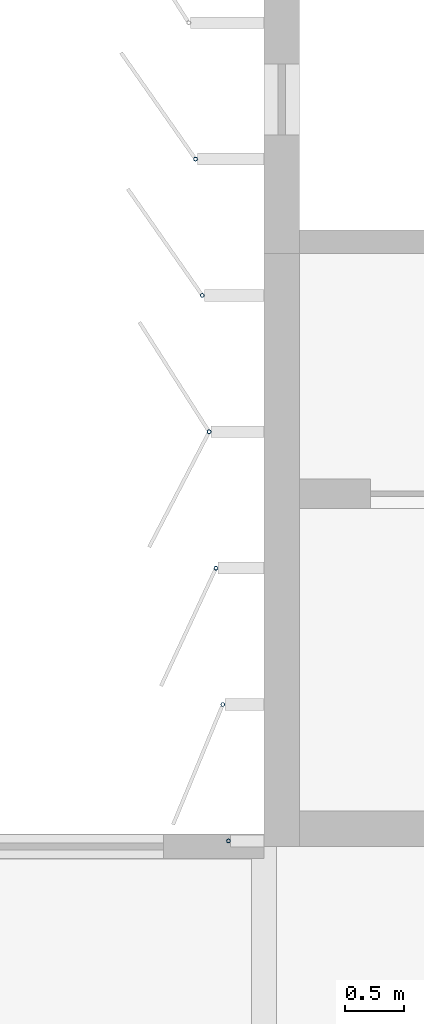
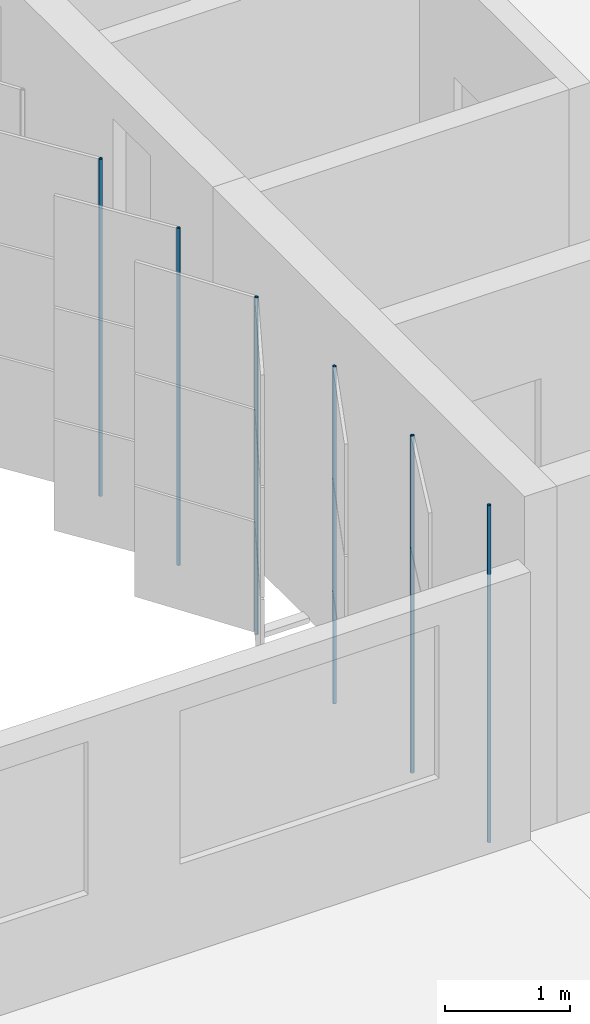
# One storey, part 114 of 214: 6 discrete accessories.
"""IFC4 building model written with IfcOpenShell, lengths in metres."""

from ifc_helpers import new_model, si_unit, direction, frame, origin, origin_2d, place, context, subcontext, project, spatial, hollow_circle, extrude, material, material_profile, profile_set, type_object, element, save


model = new_model("IFC4")

# Units and contexts
model_context = context("Model", 3, precision=1e-05, world=origin(), true_north=direction((0.0, 1.0)))
body_context = subcontext(model_context, "Body", "Model", "MODEL_VIEW")
ifc_project = project(units=[si_unit("LENGTHUNIT", "METRE"), si_unit("AREAUNIT", "SQUARE_METRE"), si_unit("VOLUMEUNIT", "CUBIC_METRE"), si_unit("PLANEANGLEUNIT", "RADIAN"), si_unit("MASSUNIT", "GRAM", prefix="KILO")], contexts=[model_context])

# Site, building, storey
site_placement = place(None, origin())
site = spatial("IfcSite", under=ifc_project, at=site_placement, CompositionType="ELEMENT")
building_placement = place(site_placement, origin())
building = spatial("IfcBuilding", under=site, at=building_placement, Name="Parallax Yard Mobility Hub", CompositionType="ELEMENT")
storey_placement = place(building_placement, frame((0.0, 0.0, 3.300048828125)))
storey = spatial("IfcBuildingStorey", under=building, at=storey_placement, Name="L01", CompositionType="ELEMENT", Elevation=3.300048828125)

# Discrete accessories
ifc_material = material(Name="Steel ASTM A500 Gr C, hot-dip galvanised", Category="steel")
ifc_material_profile = material_profile(ifc_material, hollow_circle(Radius=0.016845703125, WallThickness=0.003173828125, at=origin_2d()), Name="CHS 33.7x3.2")
ifc_profile_set = profile_set([ifc_material_profile], Name="Steel ASTM A500 Gr C, hot-dip galvanised")
discrete_accessory_type = type_object("IfcDiscreteAccessoryType", Name="Hinge post CHS 33.7x3.2", PredefinedType="BRACKET", material=ifc_profile_set)
for number, where, z_axis, x_axis, name in (
    (1, (194.42236328125, 80.798095703125, 0.0), (0.0, 0.0, 1.0), (1.0, 0.0, 0.0), "Hinge post bay 23.9 level L01"),
    (2, (194.479736328125, 79.64794921875, 0.0), (0.0, 0.0, 1.0), (1.0, 0.0, 0.0), "Hinge post bay 23.10 level L01"),
    (3, (194.537353515625, 78.497802734375, 0.0), (0.0, 0.0, 1.0), (1.0, 0.0, 0.0), "Hinge post bay 23.11 level L01"),
    (4, (194.5947265625, 77.34765625, 0.0), (0.0, 0.0, 1.0), (1.0, 0.0, 0.0), "Hinge post bay 23.12 level L01"),
    (5, (194.65234375, 76.197509765625, 0.0), (0.0, 0.0, 1.0), (1.0, 0.0, 0.0), "Hinge post bay 23.13 level L01"),
    (6, (194.699951171875, 75.047119140625, 0.0), (0.0, 0.0, 1.0), (1.0, 0.0, 0.0), "Hinge post bay 23.14 level L01"),
):
    element("IfcDiscreteAccessory", number, at=place(storey_placement, frame(where, z_axis=z_axis, x_axis=x_axis)), inside=storey, type_object=discrete_accessory_type, Name=name, PredefinedType="BRACKET", context=body_context, shape_type="SweptSolid", body=[
        extrude(hollow_circle(Radius=0.016845703125, WallThickness=0.003173828125, at=origin_2d()), origin(), (0.0, 0.0, 1.0), 3.300048828125),
    ])

save(model, "model.ifc")
